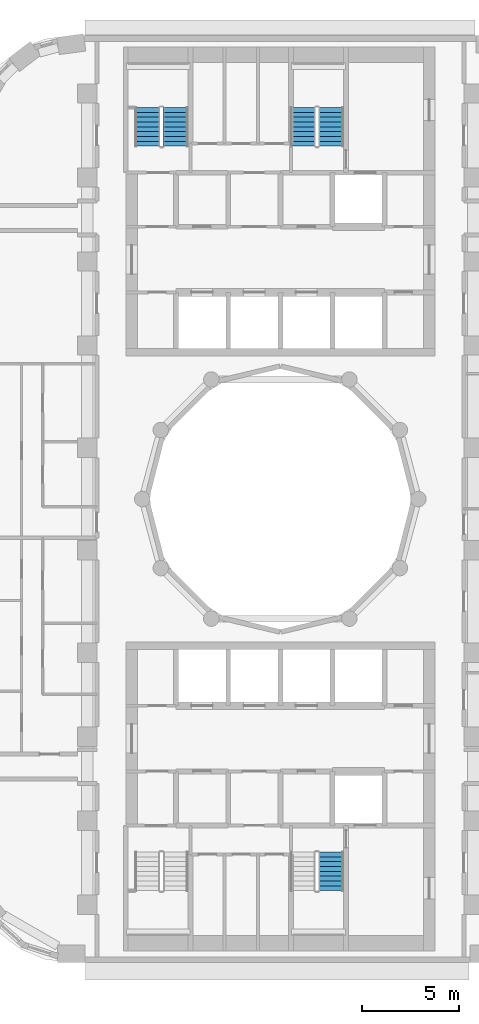
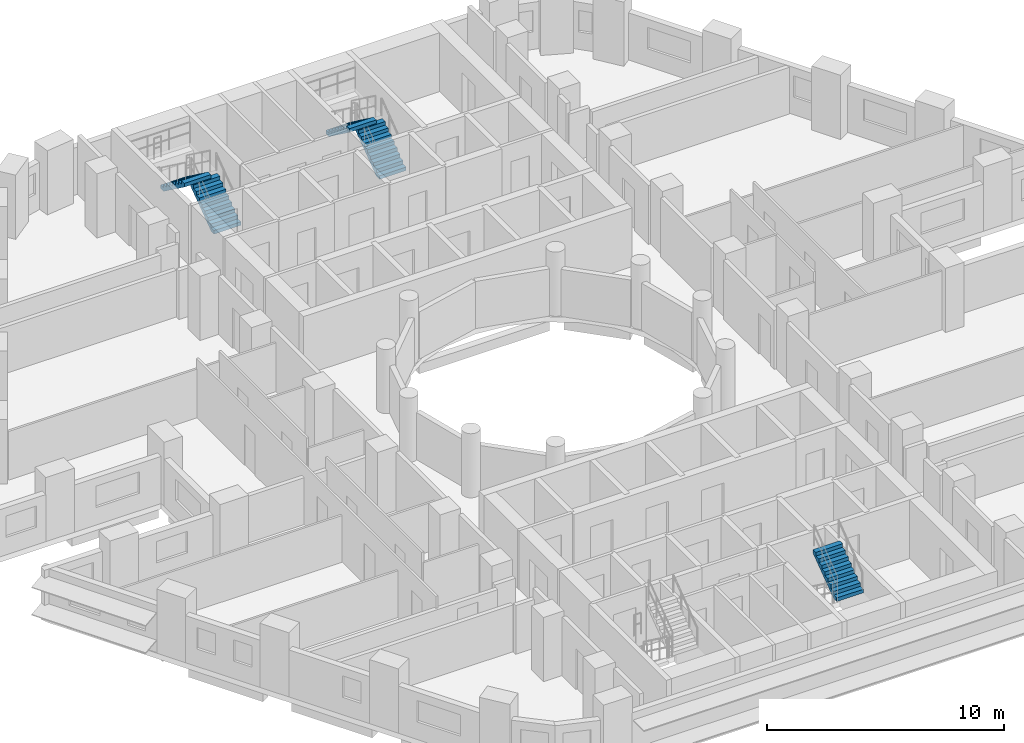
# One storey, part 9 of 12: 5 stair flights, 3 elements without a shape of their own.
"""IFC4 building model written with IfcOpenShell, lengths in metres."""

from ifc_helpers import new_model, si_unit, direction, frame, origin, place, context, subcontext, project, spatial, polyline, outline, extrude, material, type_object, element, aggregate, save


model = new_model("IFC4")

# Units and contexts
model_context = context("Model", 3, precision=1e-05, world=origin(), true_north=direction((0.0, 1.0)))
body_context = subcontext(model_context, "Body", "Model", "MODEL_VIEW")
ifc_project = project(units=[si_unit("LENGTHUNIT", "METRE"), si_unit("AREAUNIT", "SQUARE_METRE"), si_unit("VOLUMEUNIT", "CUBIC_METRE"), si_unit("PLANEANGLEUNIT", "RADIAN"), si_unit("MASSUNIT", "GRAM", prefix="KILO")], contexts=[model_context])

# Site, building, storey
site_placement = place(None, origin())
site = spatial("IfcSite", under=ifc_project, at=site_placement, CompositionType="ELEMENT")
building_placement = place(site_placement, origin())
building = spatial("IfcBuilding", under=site, at=building_placement, Name="Nakaniwa Court", CompositionType="ELEMENT")
storey_placement = place(building_placement, frame((0.0, 0.0, 97.5)))
storey = spatial("IfcBuildingStorey", under=building, at=storey_placement, Name="L25", CompositionType="ELEMENT", Elevation=97.5)

# Stair, stair flights
ifc_material = material(Name="Concrete C80/100", Category="concrete")
stair_type = type_object("IfcStairType", Name="Dog leg stair 1300 wide 18 risers", PredefinedType="HALF_TURN_STAIR", material=ifc_material)
stair_1_placement = place(storey_placement, origin())
stair_1 = element("IfcStair", 1, at=stair_1_placement, inside=storey, type_object=stair_type, Name="L25 Stair ST1", PredefinedType="HALF_TURN_STAIR")
stair_flight_type = type_object("IfcStairFlightType", Name="Stair flight 1300 wide 9 risers", PredefinedType="STRAIGHT", material=ifc_material)
stair_flight_1_placement = place(storey_placement, frame((74.574951171875, 98.27490234375, 0.0), z_axis=(0.0, 0.0, 1.0), x_axis=(0.0, 1.0, 0.0)))
stair_flight_1 = element("IfcStairFlight", 2, at=stair_flight_1_placement, type_object=stair_flight_type, Name="ST1 flight 1", NumberOfRisers=9, NumberOfTreads=8, PredefinedType="STRAIGHT", RiserHeight=0.183333333, TreadLength=0.25, context=body_context, shape_type="SweptSolid", body=[
    extrude(outline(polyline([(0.0, 0.0), (0.0, 0.026123046875), (0.0, 0.052490234375), (0.0, 0.07861328125), (0.0, 0.104736328125), (0.0, 0.130859375), (0.0, 0.1572265625), (0.0, 0.183349609375), (0.25, 0.183349609375), (0.25, 0.36669921875), (0.5, 0.36669921875), (0.5, 0.550048828125), (0.75, 0.550048828125), (0.75, 0.7333984375), (1.0, 0.7333984375), (1.0, 0.916748046875), (1.25, 0.916748046875), (1.25, 1.10009765625), (1.5, 1.10009765625), (1.5, 1.283447265625), (1.75, 1.283447265625), (1.75, 1.466552734375), (2.0, 1.466552734375), (2.0, 1.64990234375), (2.0, 1.59716796875), (2.0, 1.54443359375), (2.0, 1.49169921875), (2.0, 1.43896484375), (2.0, 1.38623046875), (2.0, 1.33349609375), (2.0, 1.28076171875), (0.25341796875, 0.0), (0.0, 0.0)])), frame((0.0, 0.64990234375, 0.0), z_axis=(0.0, -1.0, 0.0), x_axis=(1.0, 0.0, 0.0)), (0.0, 0.0, 1.0), 1.300048828125),
])
stair_flight_2_placement = place(storey_placement, frame((73.125, 100.27490234375, 1.64990234375), z_axis=(0.0, 0.0, 1.0), x_axis=(0.0, -1.0, 0.0)))
stair_flight_2 = element("IfcStairFlight", 3, at=stair_flight_2_placement, type_object=stair_flight_type, Name="ST1 flight 2", NumberOfRisers=9, NumberOfTreads=8, PredefinedType="STRAIGHT", RiserHeight=0.183333333, TreadLength=0.25, context=body_context, shape_type="SweptSolid", body=[
    extrude(outline(polyline([(0.0, 0.0), (0.0, 0.026123046875), (0.0, 0.052490234375), (0.0, 0.07861328125), (0.0, 0.104736328125), (0.0, 0.130859375), (0.0, 0.1572265625), (0.0, 0.183349609375), (0.25, 0.183349609375), (0.25, 0.36669921875), (0.5, 0.36669921875), (0.5, 0.550048828125), (0.75, 0.550048828125), (0.75, 0.7333984375), (1.0, 0.7333984375), (1.0, 0.916748046875), (1.25, 0.916748046875), (1.25, 1.10009765625), (1.5, 1.10009765625), (1.5, 1.283447265625), (1.75, 1.283447265625), (1.75, 1.466552734375), (2.0, 1.466552734375), (2.0, 1.64990234375), (2.0, 1.59716796875), (2.0, 1.54443359375), (2.0, 1.49169921875), (2.0, 1.43896484375), (2.0, 1.38623046875), (2.0, 1.33349609375), (2.0, 1.28076171875), (0.25341796875, 0.0), (0.0, 0.0)])), frame((0.0, 0.64990234375, 0.0), z_axis=(0.0, -1.0, 0.0), x_axis=(1.0, 0.0, 0.0)), (0.0, 0.0, 1.0), 1.300048828125),
])
aggregate(stair_1, [stair_flight_1, stair_flight_2])

stair_2_placement = place(storey_placement, origin())
stair_2 = element("IfcStair", 4, at=stair_2_placement, inside=storey, type_object=stair_type, Name="L25 Stair ST2", PredefinedType="HALF_TURN_STAIR")
stair_flight_3_placement = place(storey_placement, frame((82.625, 98.27490234375, 0.0), z_axis=(0.0, 0.0, 1.0), x_axis=(0.0, 1.0, 0.0)))
stair_flight_3 = element("IfcStairFlight", 5, at=stair_flight_3_placement, type_object=stair_flight_type, Name="ST2 flight 1", NumberOfRisers=9, NumberOfTreads=8, PredefinedType="STRAIGHT", RiserHeight=0.183333333, TreadLength=0.25, context=body_context, shape_type="SweptSolid", body=[
    extrude(outline(polyline([(0.0, 0.0), (0.0, 0.026123046875), (0.0, 0.052490234375), (0.0, 0.07861328125), (0.0, 0.104736328125), (0.0, 0.130859375), (0.0, 0.1572265625), (0.0, 0.183349609375), (0.25, 0.183349609375), (0.25, 0.36669921875), (0.5, 0.36669921875), (0.5, 0.550048828125), (0.75, 0.550048828125), (0.75, 0.7333984375), (1.0, 0.7333984375), (1.0, 0.916748046875), (1.25, 0.916748046875), (1.25, 1.10009765625), (1.5, 1.10009765625), (1.5, 1.283447265625), (1.75, 1.283447265625), (1.75, 1.466552734375), (2.0, 1.466552734375), (2.0, 1.64990234375), (2.0, 1.59716796875), (2.0, 1.54443359375), (2.0, 1.49169921875), (2.0, 1.43896484375), (2.0, 1.38623046875), (2.0, 1.33349609375), (2.0, 1.28076171875), (0.25341796875, 0.0), (0.0, 0.0)])), frame((0.0, 0.64990234375, 0.0), z_axis=(0.0, -1.0, 0.0), x_axis=(1.0, 0.0, 0.0)), (0.0, 0.0, 1.0), 1.300048828125),
])
stair_flight_4_placement = place(storey_placement, frame((81.175048828125, 100.27490234375, 1.64990234375), z_axis=(0.0, 0.0, 1.0), x_axis=(0.0, -1.0, 0.0)))
stair_flight_4 = element("IfcStairFlight", 6, at=stair_flight_4_placement, type_object=stair_flight_type, Name="ST2 flight 2", NumberOfRisers=9, NumberOfTreads=8, PredefinedType="STRAIGHT", RiserHeight=0.183333333, TreadLength=0.25, context=body_context, shape_type="SweptSolid", body=[
    extrude(outline(polyline([(0.0, 0.0), (0.0, 0.026123046875), (0.0, 0.052490234375), (0.0, 0.07861328125), (0.0, 0.104736328125), (0.0, 0.130859375), (0.0, 0.1572265625), (0.0, 0.183349609375), (0.25, 0.183349609375), (0.25, 0.36669921875), (0.5, 0.36669921875), (0.5, 0.550048828125), (0.75, 0.550048828125), (0.75, 0.7333984375), (1.0, 0.7333984375), (1.0, 0.916748046875), (1.25, 0.916748046875), (1.25, 1.10009765625), (1.5, 1.10009765625), (1.5, 1.283447265625), (1.75, 1.283447265625), (1.75, 1.466552734375), (2.0, 1.466552734375), (2.0, 1.64990234375), (2.0, 1.59716796875), (2.0, 1.54443359375), (2.0, 1.49169921875), (2.0, 1.43896484375), (2.0, 1.38623046875), (2.0, 1.33349609375), (2.0, 1.28076171875), (0.25341796875, 0.0), (0.0, 0.0)])), frame((0.0, 0.64990234375, 0.0), z_axis=(0.0, -1.0, 0.0), x_axis=(1.0, 0.0, 0.0)), (0.0, 0.0, 1.0), 1.300048828125),
])
aggregate(stair_2, [stair_flight_3, stair_flight_4])

# Stair, stair flight
stair_3_placement = place(storey_placement, origin())
stair_3 = element("IfcStair", 7, at=stair_3_placement, inside=storey, type_object=stair_type, Name="L25 Stair ST4", PredefinedType="HALF_TURN_STAIR")
stair_flight_5_placement = place(storey_placement, frame((82.625, 59.72509765625, 1.64990234375), z_axis=(0.0, 0.0, 1.0), x_axis=(0.0, 1.0, 0.0)))
stair_flight_5 = element("IfcStairFlight", 8, at=stair_flight_5_placement, type_object=stair_flight_type, Name="ST4 flight 2", NumberOfRisers=9, NumberOfTreads=8, PredefinedType="STRAIGHT", RiserHeight=0.183333333, TreadLength=0.25, context=body_context, shape_type="SweptSolid", body=[
    extrude(outline(polyline([(0.0, 0.0), (0.0, 0.026123046875), (0.0, 0.052490234375), (0.0, 0.07861328125), (0.0, 0.104736328125), (0.0, 0.130859375), (0.0, 0.1572265625), (0.0, 0.183349609375), (0.25, 0.183349609375), (0.25, 0.36669921875), (0.5, 0.36669921875), (0.5, 0.550048828125), (0.75, 0.550048828125), (0.75, 0.7333984375), (1.0, 0.7333984375), (1.0, 0.916748046875), (1.25, 0.916748046875), (1.25, 1.10009765625), (1.5, 1.10009765625), (1.5, 1.283447265625), (1.75, 1.283447265625), (1.75, 1.466552734375), (2.0, 1.466552734375), (2.0, 1.64990234375), (2.0, 1.59716796875), (2.0, 1.54443359375), (2.0, 1.49169921875), (2.0, 1.43896484375), (2.0, 1.38623046875), (2.0, 1.33349609375), (2.0, 1.28076171875), (0.25341796875, 0.0), (0.0, 0.0)])), frame((0.0, 0.64990234375, 0.0), z_axis=(0.0, -1.0, 0.0), x_axis=(1.0, 0.0, 0.0)), (0.0, 0.0, 1.0), 1.300048828125),
])
aggregate(stair_3, [stair_flight_5])

save(model, "model.ifc")
